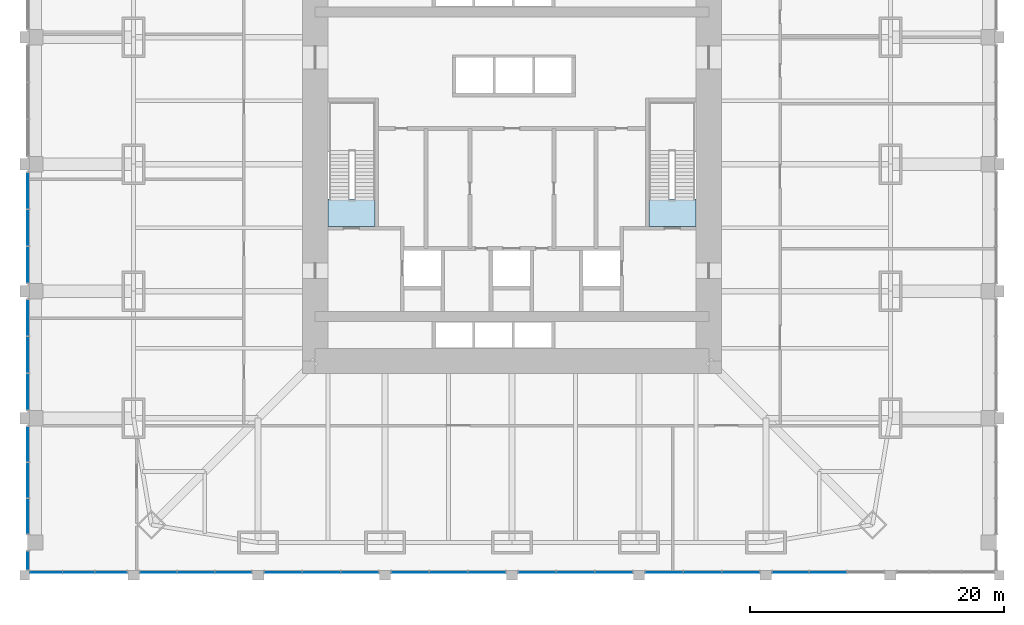
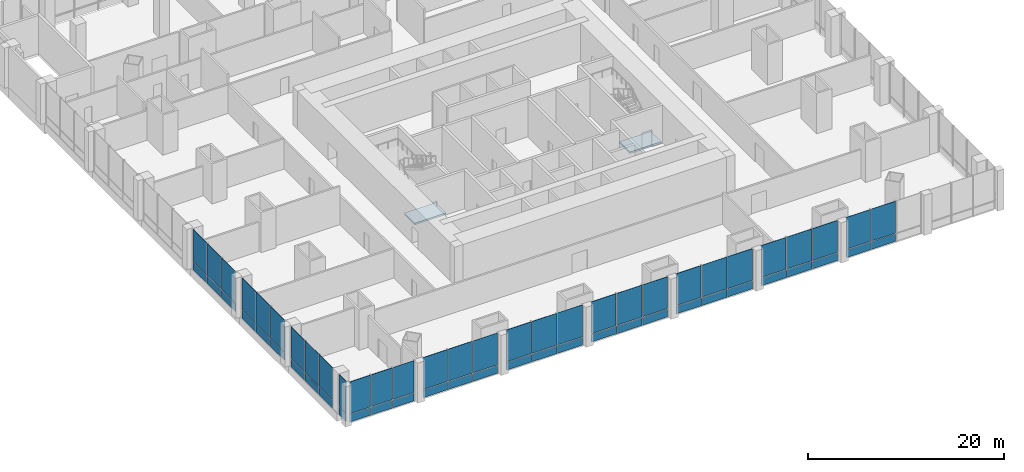
# One storey, part 13 of 22: 60 plates, 2 slabs, 13 elements without a shape of their own.
"""IFC4 building model written with IfcOpenShell, lengths in metres."""

from ifc_helpers import new_model, si_unit, direction, frame, origin, origin_2d, place, context, subcontext, project, spatial, polyline, rectangle, outline, extrude, material, layer, layer_set, type_object, element, aggregate, save


model = new_model("IFC4")

# Units and contexts
model_context = context("Model", 3, precision=1e-05, world=origin(), true_north=direction((0.0, 1.0)))
body_context = subcontext(model_context, "Body", "Model", "MODEL_VIEW")
ifc_project = project(units=[si_unit("LENGTHUNIT", "METRE"), si_unit("AREAUNIT", "SQUARE_METRE"), si_unit("VOLUMEUNIT", "CUBIC_METRE"), si_unit("PLANEANGLEUNIT", "RADIAN"), si_unit("MASSUNIT", "GRAM", prefix="KILO")], contexts=[model_context])

# Site, building, storey
site_placement = place(None, origin())
site = spatial("IfcSite", under=ifc_project, at=site_placement, CompositionType="ELEMENT")
building_placement = place(site_placement, origin())
building = spatial("IfcBuilding", under=site, at=building_placement, Name="Khuree Lantern Residences", CompositionType="ELEMENT")
storey_placement = place(building_placement, frame((0.0, 0.0, 16.0)))
storey = spatial("IfcBuildingStorey", under=building, at=storey_placement, Name="L03", CompositionType="ELEMENT", Elevation=16.0)

# Stair, slab
ifc_material_1 = material(Name="Concrete C40/50", Category="concrete")
stair_type = type_object("IfcStairType", Name="STAIR ST1 HALF TURN 3600", PredefinedType="HALF_TURN_STAIR", material=ifc_material_1)
stair_1_placement = place(storey_placement, origin())
stair_1 = element("IfcStair", 1, at=stair_1_placement, inside=storey, type_object=stair_type, Name="Stair ST1", PredefinedType="HALF_TURN_STAIR")
ifc_layer_1 = layer(ifc_material_1, 0.199951171875)
ifc_layer_set_1 = layer_set([ifc_layer_1], Name="STAIR LANDING SL1 200")
slab_type = type_object("IfcSlabType", Name="STAIR LANDING SL1 200", PredefinedType="LANDING", material=ifc_layer_set_1)
slab_1_placement = place(storey_placement, frame((0.0, 0.0, -0.199951171875)))
slab_1 = element("IfcSlab", 2, at=slab_1_placement, type_object=slab_type, Name="ST1 landing 1", PredefinedType="LANDING", context=body_context, shape_type="SweptSolid", body=[
    extrude(outline(polyline([(-14.5, -4.89990234375), (-10.800048828125, -4.89990234375), (-10.800048828125, -2.760009765625), (-14.5, -2.760009765625), (-14.5, -4.89990234375)])), origin(), (0.0, 0.0, 1.0), 0.199951171875),
])
aggregate(stair_1, [slab_1])

stair_2_placement = place(storey_placement, origin())
stair_2 = element("IfcStair", 3, at=stair_2_placement, inside=storey, type_object=stair_type, Name="Stair ST2", PredefinedType="HALF_TURN_STAIR")
slab_2_placement = place(storey_placement, frame((0.0, 0.0, -0.199951171875)))
slab_2 = element("IfcSlab", 4, at=slab_2_placement, type_object=slab_type, Name="ST2 landing 1", PredefinedType="LANDING", context=body_context, shape_type="SweptSolid", body=[
    extrude(outline(polyline([(10.800048828125, -4.89990234375), (14.5, -4.89990234375), (14.5, -2.760009765625), (10.800048828125, -2.760009765625), (10.800048828125, -4.89990234375)])), origin(), (0.0, 0.0, 1.0), 0.199951171875),
])
aggregate(stair_2, [slab_2])

# Curtain wall, plates
ifc_material_2 = material(Name="Bronze anodised aluminium", Category="aluminium")
curtain_wall_type = type_object("IfcCurtainWallType", Name="CW-P PODIUM STOREFRONT CURTAIN WALL", PredefinedType="USERDEFINED", material=ifc_material_2)
curtain_wall_1_placement = place(storey_placement, origin())
curtain_wall_1 = element("IfcCurtainWall", 5, at=curtain_wall_1_placement, inside=storey, type_object=curtain_wall_type, Name="L03 SOUTH FACE BAY 1 STOREFRONT", ObjectType="Storefront curtain wall", PredefinedType="USERDEFINED")
ifc_material_3 = material(Name="Bronze tinted laminated triple glazing", Category="glass")
ifc_layer_2 = layer(ifc_material_3, 0.0400390625)
ifc_layer_set_2 = layer_set([ifc_layer_2], Name="STOREFRONT GLASS PANEL P9")
plate_type_1 = type_object("IfcPlateType", Name="STOREFRONT GLASS PANEL P9", PredefinedType="CURTAIN_PANEL", material=ifc_layer_set_2)
plate_1_placement = place(storey_placement, frame((-36.683349609375, -32.14990234375, 1.03759765625), z_axis=(0.0, 0.0, 1.0), x_axis=(1.0, 0.0, 0.0)))
plate_1 = element("IfcPlate", 6, at=plate_1_placement, type_object=plate_type_1, Name="L03 SOUTH FACE BAY 1 PANEL 1.2", PredefinedType="CURTAIN_PANEL", context=body_context, shape_type="SweptSolid", body=[
    extrude(rectangle(XDim=2.4833984375, YDim=0.0400390625, at=origin_2d()), origin(), (0.0, 0.0, 1.0), 3.96240234375),
])
plate_2_placement = place(storey_placement, frame((-34.125, -32.14990234375, 1.03759765625), z_axis=(0.0, 0.0, 1.0), x_axis=(1.0, 0.0, 0.0)))
plate_2 = element("IfcPlate", 7, at=plate_2_placement, type_object=plate_type_1, Name="L03 SOUTH FACE BAY 1 PANEL 2.2", PredefinedType="CURTAIN_PANEL", context=body_context, shape_type="SweptSolid", body=[
    extrude(rectangle(XDim=2.4833984375, YDim=0.0400390625, at=origin_2d()), origin(), (0.0, 0.0, 1.0), 3.96240234375),
])
plate_3_placement = place(storey_placement, frame((-31.566650390625, -32.14990234375, 1.03759765625), z_axis=(0.0, 0.0, 1.0), x_axis=(1.0, 0.0, 0.0)))
plate_3 = element("IfcPlate", 8, at=plate_3_placement, type_object=plate_type_1, Name="L03 SOUTH FACE BAY 1 PANEL 3.2", PredefinedType="CURTAIN_PANEL", context=body_context, shape_type="SweptSolid", body=[
    extrude(rectangle(XDim=2.4833984375, YDim=0.0400390625, at=origin_2d()), origin(), (0.0, 0.0, 1.0), 3.96240234375),
])

curtain_wall_2_placement = place(storey_placement, origin())
curtain_wall_2 = element("IfcCurtainWall", 9, at=curtain_wall_2_placement, inside=storey, type_object=curtain_wall_type, Name="L03 SOUTH FACE BAY 2 STOREFRONT", ObjectType="Storefront curtain wall", PredefinedType="USERDEFINED")
plate_4_placement = place(storey_placement, frame((-27.841552734375, -32.14990234375, 1.03759765625), z_axis=(0.0, 0.0, 1.0), x_axis=(1.0, 0.0, 0.0)))
plate_4 = element("IfcPlate", 10, at=plate_4_placement, type_object=plate_type_1, Name="L03 SOUTH FACE BAY 2 PANEL 1.2", PredefinedType="CURTAIN_PANEL", context=body_context, shape_type="SweptSolid", body=[
    extrude(rectangle(XDim=2.86669921875, YDim=0.0400390625, at=origin_2d()), origin(), (0.0, 0.0, 1.0), 3.96240234375),
])
plate_5_placement = place(storey_placement, frame((-24.89990234375, -32.14990234375, 1.03759765625), z_axis=(0.0, 0.0, 1.0), x_axis=(1.0, 0.0, 0.0)))
plate_5 = element("IfcPlate", 11, at=plate_5_placement, type_object=plate_type_1, Name="L03 SOUTH FACE BAY 2 PANEL 2.2", PredefinedType="CURTAIN_PANEL", context=body_context, shape_type="SweptSolid", body=[
    extrude(rectangle(XDim=2.86669921875, YDim=0.0400390625, at=origin_2d()), origin(), (0.0, 0.0, 1.0), 3.96240234375),
])
plate_6_placement = place(storey_placement, frame((-21.958251953125, -32.14990234375, 1.03759765625), z_axis=(0.0, 0.0, 1.0), x_axis=(1.0, 0.0, 0.0)))
plate_6 = element("IfcPlate", 12, at=plate_6_placement, type_object=plate_type_1, Name="L03 SOUTH FACE BAY 2 PANEL 3.2", PredefinedType="CURTAIN_PANEL", context=body_context, shape_type="SweptSolid", body=[
    extrude(rectangle(XDim=2.86669921875, YDim=0.0400390625, at=origin_2d()), origin(), (0.0, 0.0, 1.0), 3.96240234375),
])

curtain_wall_3_placement = place(storey_placement, origin())
curtain_wall_3 = element("IfcCurtainWall", 13, at=curtain_wall_3_placement, inside=storey, type_object=curtain_wall_type, Name="L03 SOUTH FACE BAY 3 STOREFRONT", ObjectType="Storefront curtain wall", PredefinedType="USERDEFINED")
plate_7_placement = place(storey_placement, frame((-18.00830078125, -32.14990234375, 1.03759765625), z_axis=(0.0, 0.0, 1.0), x_axis=(1.0, 0.0, 0.0)))
plate_7 = element("IfcPlate", 14, at=plate_7_placement, type_object=plate_type_1, Name="L03 SOUTH FACE BAY 3 PANEL 1.2", PredefinedType="CURTAIN_PANEL", context=body_context, shape_type="SweptSolid", body=[
    extrude(rectangle(XDim=2.933349609375, YDim=0.0400390625, at=origin_2d()), origin(), (0.0, 0.0, 1.0), 3.96240234375),
])
plate_8_placement = place(storey_placement, frame((-15.0, -32.14990234375, 1.03759765625), z_axis=(0.0, 0.0, 1.0), x_axis=(1.0, 0.0, 0.0)))
plate_8 = element("IfcPlate", 15, at=plate_8_placement, type_object=plate_type_1, Name="L03 SOUTH FACE BAY 3 PANEL 2.2", PredefinedType="CURTAIN_PANEL", context=body_context, shape_type="SweptSolid", body=[
    extrude(rectangle(XDim=2.933349609375, YDim=0.0400390625, at=origin_2d()), origin(), (0.0, 0.0, 1.0), 3.96240234375),
])
plate_9_placement = place(storey_placement, frame((-11.99169921875, -32.14990234375, 1.03759765625), z_axis=(0.0, 0.0, 1.0), x_axis=(1.0, 0.0, 0.0)))
plate_9 = element("IfcPlate", 16, at=plate_9_placement, type_object=plate_type_1, Name="L03 SOUTH FACE BAY 3 PANEL 3.2", PredefinedType="CURTAIN_PANEL", context=body_context, shape_type="SweptSolid", body=[
    extrude(rectangle(XDim=2.933349609375, YDim=0.0400390625, at=origin_2d()), origin(), (0.0, 0.0, 1.0), 3.96240234375),
])

curtain_wall_4_placement = place(storey_placement, origin())
curtain_wall_4 = element("IfcCurtainWall", 17, at=curtain_wall_4_placement, inside=storey, type_object=curtain_wall_type, Name="L03 SOUTH FACE BAY 4 STOREFRONT", ObjectType="Storefront curtain wall", PredefinedType="USERDEFINED")
plate_10_placement = place(storey_placement, frame((-8.00830078125, -32.14990234375, 1.03759765625), z_axis=(0.0, 0.0, 1.0), x_axis=(1.0, 0.0, 0.0)))
plate_10 = element("IfcPlate", 18, at=plate_10_placement, type_object=plate_type_1, Name="L03 SOUTH FACE BAY 4 PANEL 1.2", PredefinedType="CURTAIN_PANEL", context=body_context, shape_type="SweptSolid", body=[
    extrude(rectangle(XDim=2.933349609375, YDim=0.0400390625, at=origin_2d()), origin(), (0.0, 0.0, 1.0), 3.96240234375),
])
plate_11_placement = place(storey_placement, frame((-5.0, -32.14990234375, 1.03759765625), z_axis=(0.0, 0.0, 1.0), x_axis=(1.0, 0.0, 0.0)))
plate_11 = element("IfcPlate", 19, at=plate_11_placement, type_object=plate_type_1, Name="L03 SOUTH FACE BAY 4 PANEL 2.2", PredefinedType="CURTAIN_PANEL", context=body_context, shape_type="SweptSolid", body=[
    extrude(rectangle(XDim=2.933349609375, YDim=0.0400390625, at=origin_2d()), origin(), (0.0, 0.0, 1.0), 3.96240234375),
])
plate_12_placement = place(storey_placement, frame((-1.99169921875, -32.14990234375, 1.03759765625), z_axis=(0.0, 0.0, 1.0), x_axis=(1.0, 0.0, 0.0)))
plate_12 = element("IfcPlate", 20, at=plate_12_placement, type_object=plate_type_1, Name="L03 SOUTH FACE BAY 4 PANEL 3.2", PredefinedType="CURTAIN_PANEL", context=body_context, shape_type="SweptSolid", body=[
    extrude(rectangle(XDim=2.933349609375, YDim=0.0400390625, at=origin_2d()), origin(), (0.0, 0.0, 1.0), 3.96240234375),
])

curtain_wall_5_placement = place(storey_placement, origin())
curtain_wall_5 = element("IfcCurtainWall", 21, at=curtain_wall_5_placement, inside=storey, type_object=curtain_wall_type, Name="L03 SOUTH FACE BAY 5 STOREFRONT", ObjectType="Storefront curtain wall", PredefinedType="USERDEFINED")
plate_13_placement = place(storey_placement, frame((1.99169921875, -32.14990234375, 1.03759765625), z_axis=(0.0, 0.0, 1.0), x_axis=(1.0, 0.0, 0.0)))
plate_13 = element("IfcPlate", 22, at=plate_13_placement, type_object=plate_type_1, Name="L03 SOUTH FACE BAY 5 PANEL 1.2", PredefinedType="CURTAIN_PANEL", context=body_context, shape_type="SweptSolid", body=[
    extrude(rectangle(XDim=2.933349609375, YDim=0.0400390625, at=origin_2d()), origin(), (0.0, 0.0, 1.0), 3.96240234375),
])
plate_14_placement = place(storey_placement, frame((5.0, -32.14990234375, 1.03759765625), z_axis=(0.0, 0.0, 1.0), x_axis=(1.0, 0.0, 0.0)))
plate_14 = element("IfcPlate", 23, at=plate_14_placement, type_object=plate_type_1, Name="L03 SOUTH FACE BAY 5 PANEL 2.2", PredefinedType="CURTAIN_PANEL", context=body_context, shape_type="SweptSolid", body=[
    extrude(rectangle(XDim=2.933349609375, YDim=0.0400390625, at=origin_2d()), origin(), (0.0, 0.0, 1.0), 3.96240234375),
])
plate_15_placement = place(storey_placement, frame((8.00830078125, -32.14990234375, 1.03759765625), z_axis=(0.0, 0.0, 1.0), x_axis=(1.0, 0.0, 0.0)))
plate_15 = element("IfcPlate", 24, at=plate_15_placement, type_object=plate_type_1, Name="L03 SOUTH FACE BAY 5 PANEL 3.2", PredefinedType="CURTAIN_PANEL", context=body_context, shape_type="SweptSolid", body=[
    extrude(rectangle(XDim=2.933349609375, YDim=0.0400390625, at=origin_2d()), origin(), (0.0, 0.0, 1.0), 3.96240234375),
])

curtain_wall_6_placement = place(storey_placement, origin())
curtain_wall_6 = element("IfcCurtainWall", 25, at=curtain_wall_6_placement, inside=storey, type_object=curtain_wall_type, Name="L03 SOUTH FACE BAY 6 STOREFRONT", ObjectType="Storefront curtain wall", PredefinedType="USERDEFINED")
plate_16_placement = place(storey_placement, frame((11.99169921875, -32.14990234375, 1.03759765625), z_axis=(0.0, 0.0, 1.0), x_axis=(1.0, 0.0, 0.0)))
plate_16 = element("IfcPlate", 26, at=plate_16_placement, type_object=plate_type_1, Name="L03 SOUTH FACE BAY 6 PANEL 1.2", PredefinedType="CURTAIN_PANEL", context=body_context, shape_type="SweptSolid", body=[
    extrude(rectangle(XDim=2.933349609375, YDim=0.0400390625, at=origin_2d()), origin(), (0.0, 0.0, 1.0), 3.96240234375),
])
plate_17_placement = place(storey_placement, frame((15.0, -32.14990234375, 1.03759765625), z_axis=(0.0, 0.0, 1.0), x_axis=(1.0, 0.0, 0.0)))
plate_17 = element("IfcPlate", 27, at=plate_17_placement, type_object=plate_type_1, Name="L03 SOUTH FACE BAY 6 PANEL 2.2", PredefinedType="CURTAIN_PANEL", context=body_context, shape_type="SweptSolid", body=[
    extrude(rectangle(XDim=2.933349609375, YDim=0.0400390625, at=origin_2d()), origin(), (0.0, 0.0, 1.0), 3.96240234375),
])
plate_18_placement = place(storey_placement, frame((18.00830078125, -32.14990234375, 1.03759765625), z_axis=(0.0, 0.0, 1.0), x_axis=(1.0, 0.0, 0.0)))
plate_18 = element("IfcPlate", 28, at=plate_18_placement, type_object=plate_type_1, Name="L03 SOUTH FACE BAY 6 PANEL 3.2", PredefinedType="CURTAIN_PANEL", context=body_context, shape_type="SweptSolid", body=[
    extrude(rectangle(XDim=2.933349609375, YDim=0.0400390625, at=origin_2d()), origin(), (0.0, 0.0, 1.0), 3.96240234375),
])

curtain_wall_7_placement = place(storey_placement, origin())
curtain_wall_7 = element("IfcCurtainWall", 29, at=curtain_wall_7_placement, inside=storey, type_object=curtain_wall_type, Name="L03 SOUTH FACE BAY 7 STOREFRONT", ObjectType="Storefront curtain wall", PredefinedType="USERDEFINED")
plate_19_placement = place(storey_placement, frame((21.958251953125, -32.14990234375, 1.03759765625), z_axis=(0.0, 0.0, 1.0), x_axis=(1.0, 0.0, 0.0)))
plate_19 = element("IfcPlate", 30, at=plate_19_placement, type_object=plate_type_1, Name="L03 SOUTH FACE BAY 7 PANEL 1.2", PredefinedType="CURTAIN_PANEL", context=body_context, shape_type="SweptSolid", body=[
    extrude(rectangle(XDim=2.86669921875, YDim=0.0400390625, at=origin_2d()), origin(), (0.0, 0.0, 1.0), 3.96240234375),
])
plate_20_placement = place(storey_placement, frame((24.89990234375, -32.14990234375, 1.03759765625), z_axis=(0.0, 0.0, 1.0), x_axis=(1.0, 0.0, 0.0)))
plate_20 = element("IfcPlate", 31, at=plate_20_placement, type_object=plate_type_1, Name="L03 SOUTH FACE BAY 7 PANEL 2.2", PredefinedType="CURTAIN_PANEL", context=body_context, shape_type="SweptSolid", body=[
    extrude(rectangle(XDim=2.86669921875, YDim=0.0400390625, at=origin_2d()), origin(), (0.0, 0.0, 1.0), 3.96240234375),
])

curtain_wall_8_placement = place(storey_placement, origin())
curtain_wall_8 = element("IfcCurtainWall", 32, at=curtain_wall_8_placement, inside=storey, type_object=curtain_wall_type, Name="L03 WEST FACE BAY 6 STOREFRONT", ObjectType="Storefront curtain wall", PredefinedType="USERDEFINED")
plate_21_placement = place(storey_placement, frame((-38.14990234375, -2.091552734375, 1.03759765625), z_axis=(0.0, 0.0, 1.0), x_axis=(0.0, -1.0, 0.0)))
plate_21 = element("IfcPlate", 33, at=plate_21_placement, type_object=plate_type_1, Name="L03 WEST FACE BAY 6 PANEL 1.2", PredefinedType="CURTAIN_PANEL", context=body_context, shape_type="SweptSolid", body=[
    extrude(rectangle(XDim=2.833251953125, YDim=0.0400390625, at=origin_2d()), origin(), (0.0, 0.0, 1.0), 3.96240234375),
])
plate_22_placement = place(storey_placement, frame((-38.14990234375, -5.0, 1.03759765625), z_axis=(0.0, 0.0, 1.0), x_axis=(0.0, -1.0, 0.0)))
plate_22 = element("IfcPlate", 34, at=plate_22_placement, type_object=plate_type_1, Name="L03 WEST FACE BAY 6 PANEL 2.2", PredefinedType="CURTAIN_PANEL", context=body_context, shape_type="SweptSolid", body=[
    extrude(rectangle(XDim=2.833251953125, YDim=0.0400390625, at=origin_2d()), origin(), (0.0, 0.0, 1.0), 3.96240234375),
])
plate_23_placement = place(storey_placement, frame((-38.14990234375, -7.908447265625, 1.03759765625), z_axis=(0.0, 0.0, 1.0), x_axis=(0.0, -1.0, 0.0)))
plate_23 = element("IfcPlate", 35, at=plate_23_placement, type_object=plate_type_1, Name="L03 WEST FACE BAY 6 PANEL 3.2", PredefinedType="CURTAIN_PANEL", context=body_context, shape_type="SweptSolid", body=[
    extrude(rectangle(XDim=2.833251953125, YDim=0.0400390625, at=origin_2d()), origin(), (0.0, 0.0, 1.0), 3.96240234375),
])

curtain_wall_9_placement = place(storey_placement, origin())
curtain_wall_9 = element("IfcCurtainWall", 36, at=curtain_wall_9_placement, inside=storey, type_object=curtain_wall_type, Name="L03 WEST FACE BAY 7 STOREFRONT", ObjectType="Storefront curtain wall", PredefinedType="USERDEFINED")
plate_24_placement = place(storey_placement, frame((-38.14990234375, -12.091552734375, 1.03759765625), z_axis=(0.0, 0.0, 1.0), x_axis=(0.0, -1.0, 0.0)))
plate_24 = element("IfcPlate", 37, at=plate_24_placement, type_object=plate_type_1, Name="L03 WEST FACE BAY 7 PANEL 1.2", PredefinedType="CURTAIN_PANEL", context=body_context, shape_type="SweptSolid", body=[
    extrude(rectangle(XDim=2.833251953125, YDim=0.0400390625, at=origin_2d()), origin(), (0.0, 0.0, 1.0), 3.96240234375),
])
plate_25_placement = place(storey_placement, frame((-38.14990234375, -15.0, 1.03759765625), z_axis=(0.0, 0.0, 1.0), x_axis=(0.0, -1.0, 0.0)))
plate_25 = element("IfcPlate", 38, at=plate_25_placement, type_object=plate_type_1, Name="L03 WEST FACE BAY 7 PANEL 2.2", PredefinedType="CURTAIN_PANEL", context=body_context, shape_type="SweptSolid", body=[
    extrude(rectangle(XDim=2.833251953125, YDim=0.0400390625, at=origin_2d()), origin(), (0.0, 0.0, 1.0), 3.96240234375),
])
plate_26_placement = place(storey_placement, frame((-38.14990234375, -17.908447265625, 1.03759765625), z_axis=(0.0, 0.0, 1.0), x_axis=(0.0, -1.0, 0.0)))
plate_26 = element("IfcPlate", 39, at=plate_26_placement, type_object=plate_type_1, Name="L03 WEST FACE BAY 7 PANEL 3.2", PredefinedType="CURTAIN_PANEL", context=body_context, shape_type="SweptSolid", body=[
    extrude(rectangle(XDim=2.833251953125, YDim=0.0400390625, at=origin_2d()), origin(), (0.0, 0.0, 1.0), 3.96240234375),
])

curtain_wall_10_placement = place(storey_placement, origin())
curtain_wall_10 = element("IfcCurtainWall", 40, at=curtain_wall_10_placement, inside=storey, type_object=curtain_wall_type, Name="L03 WEST FACE BAY 8 STOREFRONT", ObjectType="Storefront curtain wall", PredefinedType="USERDEFINED")
plate_27_placement = place(storey_placement, frame((-38.14990234375, -22.058349609375, 1.03759765625), z_axis=(0.0, 0.0, 1.0), x_axis=(0.0, -1.0, 0.0)))
plate_27 = element("IfcPlate", 41, at=plate_27_placement, type_object=plate_type_1, Name="L03 WEST FACE BAY 8 PANEL 1.2", PredefinedType="CURTAIN_PANEL", context=body_context, shape_type="SweptSolid", body=[
    extrude(rectangle(XDim=2.7666015625, YDim=0.0400390625, at=origin_2d()), origin(), (0.0, 0.0, 1.0), 3.96240234375),
])
plate_28_placement = place(storey_placement, frame((-38.14990234375, -24.89990234375, 1.03759765625), z_axis=(0.0, 0.0, 1.0), x_axis=(0.0, -1.0, 0.0)))
plate_28 = element("IfcPlate", 42, at=plate_28_placement, type_object=plate_type_1, Name="L03 WEST FACE BAY 8 PANEL 2.2", PredefinedType="CURTAIN_PANEL", context=body_context, shape_type="SweptSolid", body=[
    extrude(rectangle(XDim=2.7666015625, YDim=0.0400390625, at=origin_2d()), origin(), (0.0, 0.0, 1.0), 3.96240234375),
])
plate_29_placement = place(storey_placement, frame((-38.14990234375, -27.74169921875, 1.03759765625), z_axis=(0.0, 0.0, 1.0), x_axis=(0.0, -1.0, 0.0)))
plate_29 = element("IfcPlate", 43, at=plate_29_placement, type_object=plate_type_1, Name="L03 WEST FACE BAY 8 PANEL 3.2", PredefinedType="CURTAIN_PANEL", context=body_context, shape_type="SweptSolid", body=[
    extrude(rectangle(XDim=2.7666015625, YDim=0.0400390625, at=origin_2d()), origin(), (0.0, 0.0, 1.0), 3.96240234375),
])

# Curtain wall, plate
curtain_wall_11_placement = place(storey_placement, origin())
curtain_wall_11 = element("IfcCurtainWall", 44, at=curtain_wall_11_placement, inside=storey, type_object=curtain_wall_type, Name="L03 WEST FACE BAY 8B STOREFRONT", ObjectType="Storefront curtain wall", PredefinedType="USERDEFINED")
plate_30_placement = place(storey_placement, frame((-38.14990234375, -31.199951171875, 1.03759765625), z_axis=(0.0, 0.0, 1.0), x_axis=(0.0, -1.0, 0.0)))
plate_30 = element("IfcPlate", 45, at=plate_30_placement, type_object=plate_type_1, Name="L03 WEST FACE BAY 8B PANEL 1.2", PredefinedType="CURTAIN_PANEL", context=body_context, shape_type="SweptSolid", body=[
    extrude(rectangle(XDim=1.449951171875, YDim=0.0400390625, at=origin_2d()), origin(), (0.0, 0.0, 1.0), 3.96240234375),
])

# Plate
ifc_material_4 = material(Name="Bronze anodised aluminium insulated spandrel", Category="aluminium")
ifc_layer_3 = layer(ifc_material_4, 0.06005859375)
ifc_layer_set_3 = layer_set([ifc_layer_3], Name="STOREFRONT SPANDREL PANEL P10")
plate_type_2 = type_object("IfcPlateType", Name="STOREFRONT SPANDREL PANEL P10", PredefinedType="CURTAIN_PANEL", material=ifc_layer_set_3)
plate_31_placement = place(storey_placement, frame((-36.683349609375, -32.14990234375, 0.0), z_axis=(0.0, 0.0, 1.0), x_axis=(1.0, 0.0, 0.0)))
plate_31 = element("IfcPlate", 46, at=plate_31_placement, type_object=plate_type_2, Name="L03 SOUTH FACE BAY 1 PANEL 1.1", PredefinedType="CURTAIN_PANEL", context=body_context, shape_type="SweptSolid", body=[
    extrude(rectangle(XDim=2.4833984375, YDim=0.06005859375, at=origin_2d()), origin(), (0.0, 0.0, 1.0), 0.96240234375),
])

plate_32_placement = place(storey_placement, frame((-34.125, -32.14990234375, 0.0), z_axis=(0.0, 0.0, 1.0), x_axis=(1.0, 0.0, 0.0)))
plate_32 = element("IfcPlate", 47, at=plate_32_placement, type_object=plate_type_2, Name="L03 SOUTH FACE BAY 1 PANEL 2.1", PredefinedType="CURTAIN_PANEL", context=body_context, shape_type="SweptSolid", body=[
    extrude(rectangle(XDim=2.4833984375, YDim=0.06005859375, at=origin_2d()), origin(), (0.0, 0.0, 1.0), 0.96240234375),
])

plate_33_placement = place(storey_placement, frame((-31.566650390625, -32.14990234375, 0.0), z_axis=(0.0, 0.0, 1.0), x_axis=(1.0, 0.0, 0.0)))
plate_33 = element("IfcPlate", 48, at=plate_33_placement, type_object=plate_type_2, Name="L03 SOUTH FACE BAY 1 PANEL 3.1", PredefinedType="CURTAIN_PANEL", context=body_context, shape_type="SweptSolid", body=[
    extrude(rectangle(XDim=2.4833984375, YDim=0.06005859375, at=origin_2d()), origin(), (0.0, 0.0, 1.0), 0.96240234375),
])

aggregate(curtain_wall_1, [plate_31, plate_1, plate_32, plate_2, plate_33, plate_3])

plate_34_placement = place(storey_placement, frame((-27.841552734375, -32.14990234375, 0.0), z_axis=(0.0, 0.0, 1.0), x_axis=(1.0, 0.0, 0.0)))
plate_34 = element("IfcPlate", 49, at=plate_34_placement, type_object=plate_type_2, Name="L03 SOUTH FACE BAY 2 PANEL 1.1", PredefinedType="CURTAIN_PANEL", context=body_context, shape_type="SweptSolid", body=[
    extrude(rectangle(XDim=2.86669921875, YDim=0.06005859375, at=origin_2d()), origin(), (0.0, 0.0, 1.0), 0.96240234375),
])

plate_35_placement = place(storey_placement, frame((-24.89990234375, -32.14990234375, 0.0), z_axis=(0.0, 0.0, 1.0), x_axis=(1.0, 0.0, 0.0)))
plate_35 = element("IfcPlate", 50, at=plate_35_placement, type_object=plate_type_2, Name="L03 SOUTH FACE BAY 2 PANEL 2.1", PredefinedType="CURTAIN_PANEL", context=body_context, shape_type="SweptSolid", body=[
    extrude(rectangle(XDim=2.86669921875, YDim=0.06005859375, at=origin_2d()), origin(), (0.0, 0.0, 1.0), 0.96240234375),
])

plate_36_placement = place(storey_placement, frame((-21.958251953125, -32.14990234375, 0.0), z_axis=(0.0, 0.0, 1.0), x_axis=(1.0, 0.0, 0.0)))
plate_36 = element("IfcPlate", 51, at=plate_36_placement, type_object=plate_type_2, Name="L03 SOUTH FACE BAY 2 PANEL 3.1", PredefinedType="CURTAIN_PANEL", context=body_context, shape_type="SweptSolid", body=[
    extrude(rectangle(XDim=2.86669921875, YDim=0.06005859375, at=origin_2d()), origin(), (0.0, 0.0, 1.0), 0.96240234375),
])

aggregate(curtain_wall_2, [plate_34, plate_4, plate_35, plate_5, plate_36, plate_6])

plate_37_placement = place(storey_placement, frame((-18.00830078125, -32.14990234375, 0.0), z_axis=(0.0, 0.0, 1.0), x_axis=(1.0, 0.0, 0.0)))
plate_37 = element("IfcPlate", 52, at=plate_37_placement, type_object=plate_type_2, Name="L03 SOUTH FACE BAY 3 PANEL 1.1", PredefinedType="CURTAIN_PANEL", context=body_context, shape_type="SweptSolid", body=[
    extrude(rectangle(XDim=2.933349609375, YDim=0.06005859375, at=origin_2d()), origin(), (0.0, 0.0, 1.0), 0.96240234375),
])

plate_38_placement = place(storey_placement, frame((-15.0, -32.14990234375, 0.0), z_axis=(0.0, 0.0, 1.0), x_axis=(1.0, 0.0, 0.0)))
plate_38 = element("IfcPlate", 53, at=plate_38_placement, type_object=plate_type_2, Name="L03 SOUTH FACE BAY 3 PANEL 2.1", PredefinedType="CURTAIN_PANEL", context=body_context, shape_type="SweptSolid", body=[
    extrude(rectangle(XDim=2.933349609375, YDim=0.06005859375, at=origin_2d()), origin(), (0.0, 0.0, 1.0), 0.96240234375),
])

plate_39_placement = place(storey_placement, frame((-11.99169921875, -32.14990234375, 0.0), z_axis=(0.0, 0.0, 1.0), x_axis=(1.0, 0.0, 0.0)))
plate_39 = element("IfcPlate", 54, at=plate_39_placement, type_object=plate_type_2, Name="L03 SOUTH FACE BAY 3 PANEL 3.1", PredefinedType="CURTAIN_PANEL", context=body_context, shape_type="SweptSolid", body=[
    extrude(rectangle(XDim=2.933349609375, YDim=0.06005859375, at=origin_2d()), origin(), (0.0, 0.0, 1.0), 0.96240234375),
])

aggregate(curtain_wall_3, [plate_37, plate_7, plate_38, plate_8, plate_39, plate_9])

plate_40_placement = place(storey_placement, frame((-8.00830078125, -32.14990234375, 0.0), z_axis=(0.0, 0.0, 1.0), x_axis=(1.0, 0.0, 0.0)))
plate_40 = element("IfcPlate", 55, at=plate_40_placement, type_object=plate_type_2, Name="L03 SOUTH FACE BAY 4 PANEL 1.1", PredefinedType="CURTAIN_PANEL", context=body_context, shape_type="SweptSolid", body=[
    extrude(rectangle(XDim=2.933349609375, YDim=0.06005859375, at=origin_2d()), origin(), (0.0, 0.0, 1.0), 0.96240234375),
])

plate_41_placement = place(storey_placement, frame((-5.0, -32.14990234375, 0.0), z_axis=(0.0, 0.0, 1.0), x_axis=(1.0, 0.0, 0.0)))
plate_41 = element("IfcPlate", 56, at=plate_41_placement, type_object=plate_type_2, Name="L03 SOUTH FACE BAY 4 PANEL 2.1", PredefinedType="CURTAIN_PANEL", context=body_context, shape_type="SweptSolid", body=[
    extrude(rectangle(XDim=2.933349609375, YDim=0.06005859375, at=origin_2d()), origin(), (0.0, 0.0, 1.0), 0.96240234375),
])

plate_42_placement = place(storey_placement, frame((-1.99169921875, -32.14990234375, 0.0), z_axis=(0.0, 0.0, 1.0), x_axis=(1.0, 0.0, 0.0)))
plate_42 = element("IfcPlate", 57, at=plate_42_placement, type_object=plate_type_2, Name="L03 SOUTH FACE BAY 4 PANEL 3.1", PredefinedType="CURTAIN_PANEL", context=body_context, shape_type="SweptSolid", body=[
    extrude(rectangle(XDim=2.933349609375, YDim=0.06005859375, at=origin_2d()), origin(), (0.0, 0.0, 1.0), 0.96240234375),
])

aggregate(curtain_wall_4, [plate_40, plate_10, plate_41, plate_11, plate_42, plate_12])

plate_43_placement = place(storey_placement, frame((1.99169921875, -32.14990234375, 0.0), z_axis=(0.0, 0.0, 1.0), x_axis=(1.0, 0.0, 0.0)))
plate_43 = element("IfcPlate", 58, at=plate_43_placement, type_object=plate_type_2, Name="L03 SOUTH FACE BAY 5 PANEL 1.1", PredefinedType="CURTAIN_PANEL", context=body_context, shape_type="SweptSolid", body=[
    extrude(rectangle(XDim=2.933349609375, YDim=0.06005859375, at=origin_2d()), origin(), (0.0, 0.0, 1.0), 0.96240234375),
])

plate_44_placement = place(storey_placement, frame((5.0, -32.14990234375, 0.0), z_axis=(0.0, 0.0, 1.0), x_axis=(1.0, 0.0, 0.0)))
plate_44 = element("IfcPlate", 59, at=plate_44_placement, type_object=plate_type_2, Name="L03 SOUTH FACE BAY 5 PANEL 2.1", PredefinedType="CURTAIN_PANEL", context=body_context, shape_type="SweptSolid", body=[
    extrude(rectangle(XDim=2.933349609375, YDim=0.06005859375, at=origin_2d()), origin(), (0.0, 0.0, 1.0), 0.96240234375),
])

plate_45_placement = place(storey_placement, frame((8.00830078125, -32.14990234375, 0.0), z_axis=(0.0, 0.0, 1.0), x_axis=(1.0, 0.0, 0.0)))
plate_45 = element("IfcPlate", 60, at=plate_45_placement, type_object=plate_type_2, Name="L03 SOUTH FACE BAY 5 PANEL 3.1", PredefinedType="CURTAIN_PANEL", context=body_context, shape_type="SweptSolid", body=[
    extrude(rectangle(XDim=2.933349609375, YDim=0.06005859375, at=origin_2d()), origin(), (0.0, 0.0, 1.0), 0.96240234375),
])

aggregate(curtain_wall_5, [plate_43, plate_13, plate_44, plate_14, plate_45, plate_15])

plate_46_placement = place(storey_placement, frame((11.99169921875, -32.14990234375, 0.0), z_axis=(0.0, 0.0, 1.0), x_axis=(1.0, 0.0, 0.0)))
plate_46 = element("IfcPlate", 61, at=plate_46_placement, type_object=plate_type_2, Name="L03 SOUTH FACE BAY 6 PANEL 1.1", PredefinedType="CURTAIN_PANEL", context=body_context, shape_type="SweptSolid", body=[
    extrude(rectangle(XDim=2.933349609375, YDim=0.06005859375, at=origin_2d()), origin(), (0.0, 0.0, 1.0), 0.96240234375),
])

plate_47_placement = place(storey_placement, frame((15.0, -32.14990234375, 0.0), z_axis=(0.0, 0.0, 1.0), x_axis=(1.0, 0.0, 0.0)))
plate_47 = element("IfcPlate", 62, at=plate_47_placement, type_object=plate_type_2, Name="L03 SOUTH FACE BAY 6 PANEL 2.1", PredefinedType="CURTAIN_PANEL", context=body_context, shape_type="SweptSolid", body=[
    extrude(rectangle(XDim=2.933349609375, YDim=0.06005859375, at=origin_2d()), origin(), (0.0, 0.0, 1.0), 0.96240234375),
])

plate_48_placement = place(storey_placement, frame((18.00830078125, -32.14990234375, 0.0), z_axis=(0.0, 0.0, 1.0), x_axis=(1.0, 0.0, 0.0)))
plate_48 = element("IfcPlate", 63, at=plate_48_placement, type_object=plate_type_2, Name="L03 SOUTH FACE BAY 6 PANEL 3.1", PredefinedType="CURTAIN_PANEL", context=body_context, shape_type="SweptSolid", body=[
    extrude(rectangle(XDim=2.933349609375, YDim=0.06005859375, at=origin_2d()), origin(), (0.0, 0.0, 1.0), 0.96240234375),
])

aggregate(curtain_wall_6, [plate_46, plate_16, plate_47, plate_17, plate_48, plate_18])

plate_49_placement = place(storey_placement, frame((21.958251953125, -32.14990234375, 0.0), z_axis=(0.0, 0.0, 1.0), x_axis=(1.0, 0.0, 0.0)))
plate_49 = element("IfcPlate", 64, at=plate_49_placement, type_object=plate_type_2, Name="L03 SOUTH FACE BAY 7 PANEL 1.1", PredefinedType="CURTAIN_PANEL", context=body_context, shape_type="SweptSolid", body=[
    extrude(rectangle(XDim=2.86669921875, YDim=0.06005859375, at=origin_2d()), origin(), (0.0, 0.0, 1.0), 0.96240234375),
])

plate_50_placement = place(storey_placement, frame((24.89990234375, -32.14990234375, 0.0), z_axis=(0.0, 0.0, 1.0), x_axis=(1.0, 0.0, 0.0)))
plate_50 = element("IfcPlate", 65, at=plate_50_placement, type_object=plate_type_2, Name="L03 SOUTH FACE BAY 7 PANEL 2.1", PredefinedType="CURTAIN_PANEL", context=body_context, shape_type="SweptSolid", body=[
    extrude(rectangle(XDim=2.86669921875, YDim=0.06005859375, at=origin_2d()), origin(), (0.0, 0.0, 1.0), 0.96240234375),
])

aggregate(curtain_wall_7, [plate_49, plate_19, plate_50, plate_20])

plate_51_placement = place(storey_placement, frame((-38.14990234375, -2.091552734375, 0.0), z_axis=(0.0, 0.0, 1.0), x_axis=(0.0, -1.0, 0.0)))
plate_51 = element("IfcPlate", 66, at=plate_51_placement, type_object=plate_type_2, Name="L03 WEST FACE BAY 6 PANEL 1.1", PredefinedType="CURTAIN_PANEL", context=body_context, shape_type="SweptSolid", body=[
    extrude(rectangle(XDim=2.833251953125, YDim=0.06005859375, at=origin_2d()), origin(), (0.0, 0.0, 1.0), 0.96240234375),
])

plate_52_placement = place(storey_placement, frame((-38.14990234375, -5.0, 0.0), z_axis=(0.0, 0.0, 1.0), x_axis=(0.0, -1.0, 0.0)))
plate_52 = element("IfcPlate", 67, at=plate_52_placement, type_object=plate_type_2, Name="L03 WEST FACE BAY 6 PANEL 2.1", PredefinedType="CURTAIN_PANEL", context=body_context, shape_type="SweptSolid", body=[
    extrude(rectangle(XDim=2.833251953125, YDim=0.06005859375, at=origin_2d()), origin(), (0.0, 0.0, 1.0), 0.96240234375),
])

plate_53_placement = place(storey_placement, frame((-38.14990234375, -7.908447265625, 0.0), z_axis=(0.0, 0.0, 1.0), x_axis=(0.0, -1.0, 0.0)))
plate_53 = element("IfcPlate", 68, at=plate_53_placement, type_object=plate_type_2, Name="L03 WEST FACE BAY 6 PANEL 3.1", PredefinedType="CURTAIN_PANEL", context=body_context, shape_type="SweptSolid", body=[
    extrude(rectangle(XDim=2.833251953125, YDim=0.06005859375, at=origin_2d()), origin(), (0.0, 0.0, 1.0), 0.96240234375),
])

aggregate(curtain_wall_8, [plate_51, plate_21, plate_52, plate_22, plate_53, plate_23])

plate_54_placement = place(storey_placement, frame((-38.14990234375, -12.091552734375, 0.0), z_axis=(0.0, 0.0, 1.0), x_axis=(0.0, -1.0, 0.0)))
plate_54 = element("IfcPlate", 69, at=plate_54_placement, type_object=plate_type_2, Name="L03 WEST FACE BAY 7 PANEL 1.1", PredefinedType="CURTAIN_PANEL", context=body_context, shape_type="SweptSolid", body=[
    extrude(rectangle(XDim=2.833251953125, YDim=0.06005859375, at=origin_2d()), origin(), (0.0, 0.0, 1.0), 0.96240234375),
])

plate_55_placement = place(storey_placement, frame((-38.14990234375, -15.0, 0.0), z_axis=(0.0, 0.0, 1.0), x_axis=(0.0, -1.0, 0.0)))
plate_55 = element("IfcPlate", 70, at=plate_55_placement, type_object=plate_type_2, Name="L03 WEST FACE BAY 7 PANEL 2.1", PredefinedType="CURTAIN_PANEL", context=body_context, shape_type="SweptSolid", body=[
    extrude(rectangle(XDim=2.833251953125, YDim=0.06005859375, at=origin_2d()), origin(), (0.0, 0.0, 1.0), 0.96240234375),
])

plate_56_placement = place(storey_placement, frame((-38.14990234375, -17.908447265625, 0.0), z_axis=(0.0, 0.0, 1.0), x_axis=(0.0, -1.0, 0.0)))
plate_56 = element("IfcPlate", 71, at=plate_56_placement, type_object=plate_type_2, Name="L03 WEST FACE BAY 7 PANEL 3.1", PredefinedType="CURTAIN_PANEL", context=body_context, shape_type="SweptSolid", body=[
    extrude(rectangle(XDim=2.833251953125, YDim=0.06005859375, at=origin_2d()), origin(), (0.0, 0.0, 1.0), 0.96240234375),
])

aggregate(curtain_wall_9, [plate_54, plate_24, plate_55, plate_25, plate_56, plate_26])

plate_57_placement = place(storey_placement, frame((-38.14990234375, -22.058349609375, 0.0), z_axis=(0.0, 0.0, 1.0), x_axis=(0.0, -1.0, 0.0)))
plate_57 = element("IfcPlate", 72, at=plate_57_placement, type_object=plate_type_2, Name="L03 WEST FACE BAY 8 PANEL 1.1", PredefinedType="CURTAIN_PANEL", context=body_context, shape_type="SweptSolid", body=[
    extrude(rectangle(XDim=2.7666015625, YDim=0.06005859375, at=origin_2d()), origin(), (0.0, 0.0, 1.0), 0.96240234375),
])

plate_58_placement = place(storey_placement, frame((-38.14990234375, -24.89990234375, 0.0), z_axis=(0.0, 0.0, 1.0), x_axis=(0.0, -1.0, 0.0)))
plate_58 = element("IfcPlate", 73, at=plate_58_placement, type_object=plate_type_2, Name="L03 WEST FACE BAY 8 PANEL 2.1", PredefinedType="CURTAIN_PANEL", context=body_context, shape_type="SweptSolid", body=[
    extrude(rectangle(XDim=2.7666015625, YDim=0.06005859375, at=origin_2d()), origin(), (0.0, 0.0, 1.0), 0.96240234375),
])

plate_59_placement = place(storey_placement, frame((-38.14990234375, -27.74169921875, 0.0), z_axis=(0.0, 0.0, 1.0), x_axis=(0.0, -1.0, 0.0)))
plate_59 = element("IfcPlate", 74, at=plate_59_placement, type_object=plate_type_2, Name="L03 WEST FACE BAY 8 PANEL 3.1", PredefinedType="CURTAIN_PANEL", context=body_context, shape_type="SweptSolid", body=[
    extrude(rectangle(XDim=2.7666015625, YDim=0.06005859375, at=origin_2d()), origin(), (0.0, 0.0, 1.0), 0.96240234375),
])

aggregate(curtain_wall_10, [plate_57, plate_27, plate_58, plate_28, plate_59, plate_29])

plate_60_placement = place(storey_placement, frame((-38.14990234375, -31.199951171875, 0.0), z_axis=(0.0, 0.0, 1.0), x_axis=(0.0, -1.0, 0.0)))
plate_60 = element("IfcPlate", 75, at=plate_60_placement, type_object=plate_type_2, Name="L03 WEST FACE BAY 8B PANEL 1.1", PredefinedType="CURTAIN_PANEL", context=body_context, shape_type="SweptSolid", body=[
    extrude(rectangle(XDim=1.449951171875, YDim=0.06005859375, at=origin_2d()), origin(), (0.0, 0.0, 1.0), 0.96240234375),
])

aggregate(curtain_wall_11, [plate_60, plate_30])

save(model, "model.ifc")
